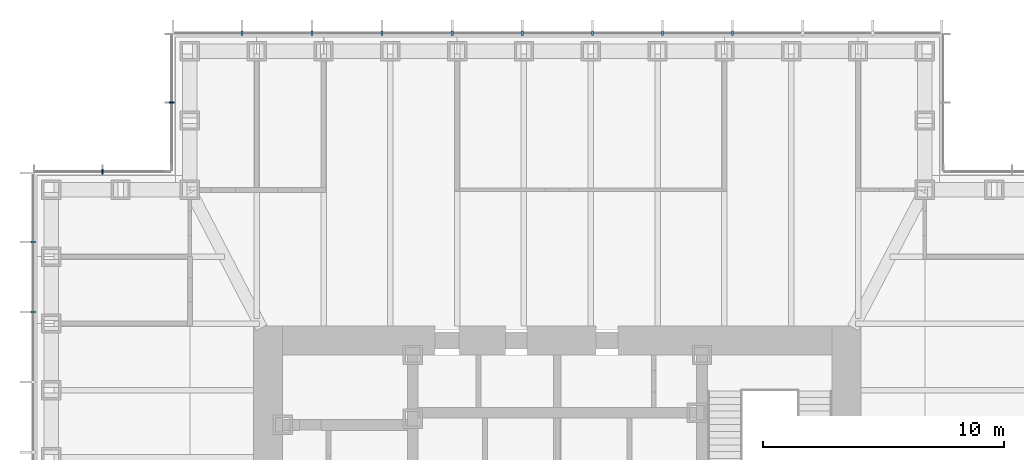
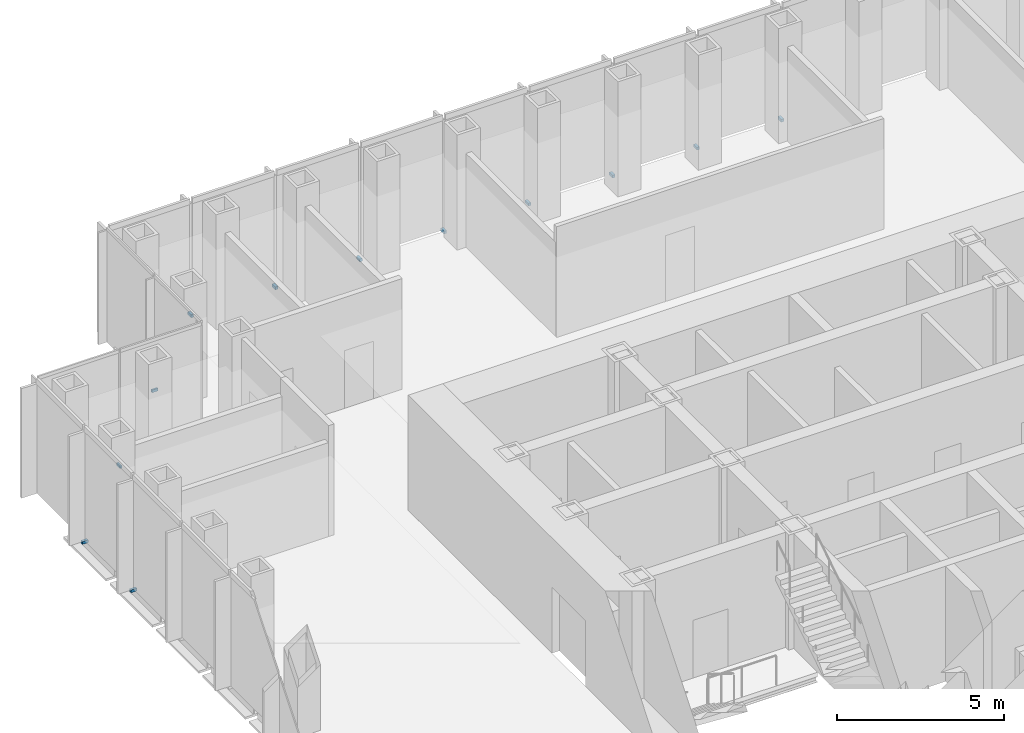
# One storey, part 14 of 16: 12 discrete accessories.
"""IFC4 building model written with IfcOpenShell, lengths in metres."""

from ifc_helpers import new_model, si_unit, direction, frame, origin, origin_2d, place, context, subcontext, project, spatial, rectangle, extrude, element, save


model = new_model("IFC4")

# Units and contexts
model_context = context("Model", 3, precision=1e-05, world=origin(), true_north=direction((0.0, 1.0)))
body_context = subcontext(model_context, "Body", "Model", "MODEL_VIEW")
ifc_project = project(units=[si_unit("LENGTHUNIT", "METRE"), si_unit("AREAUNIT", "SQUARE_METRE"), si_unit("VOLUMEUNIT", "CUBIC_METRE"), si_unit("PLANEANGLEUNIT", "RADIAN"), si_unit("MASSUNIT", "GRAM", prefix="KILO")], contexts=[model_context])

# Site, building, storey
site_placement = place(None, origin())
site = spatial("IfcSite", under=ifc_project, at=site_placement, CompositionType="ELEMENT")
building_placement = place(site_placement, origin())
building = spatial("IfcBuilding", under=site, at=building_placement, Name="Daluyong Arena Tower", CompositionType="ELEMENT")
storey_placement = place(building_placement, frame((0.0, 0.0, 262.89990234375)))
storey = spatial("IfcBuildingStorey", under=building, at=storey_placement, Name="L59", CompositionType="ELEMENT", Elevation=262.89990234375)

# Discrete accessories
for number, where, z_axis, x_axis, name in (
    (1, (63.272705078125, 101.75, -0.099853515625), (0.0, 0.0, 1.0), (-1.0, 0.0, 0.0), "curtain wall L59 N anchor bracket 4"),
    (2, (60.363525390625, 101.75, -0.099853515625), (0.0, 0.0, 1.0), (-1.0, 0.0, 0.0), "curtain wall L59 N anchor bracket 5"),
    (3, (57.45458984375, 101.75, -0.099853515625), (0.0, 0.0, 1.0), (-1.0, 0.0, 0.0), "curtain wall L59 N anchor bracket 6"),
    (4, (54.54541015625, 101.75, -0.099853515625), (0.0, 0.0, 1.0), (-1.0, 0.0, 0.0), "curtain wall L59 N anchor bracket 7"),
    (5, (51.636474609375, 101.75, -0.099853515625), (0.0, 0.0, 1.0), (-1.0, 0.0, 0.0), "curtain wall L59 N anchor bracket 8"),
    (6, (48.727294921875, 101.75, -0.099853515625), (0.0, 0.0, 1.0), (-1.0, 0.0, 0.0), "curtain wall L59 N anchor bracket 9"),
    (7, (45.818115234375, 101.75, -0.099853515625), (0.0, 0.0, 1.0), (-1.0, 0.0, 0.0), "curtain wall L59 N anchor bracket 10"),
    (8, (42.9091796875, 101.75, -0.099853515625), (0.0, 0.0, 1.0), (-1.0, 0.0, 0.0), "curtain wall L59 N anchor bracket 11"),
):
    element("IfcDiscreteAccessory", number, at=place(storey_placement, frame(where, z_axis=z_axis, x_axis=x_axis)), inside=storey, Name=name, PredefinedType="BRACKET", context=body_context, shape_type="SweptSolid", body=[
        extrude(rectangle(XDim=0.090087890625, YDim=0.199951171875, at=origin_2d()), origin(), (0.0, 0.0, 1.0), 0.10009765625),
    ])
for number, where, z_axis, x_axis, name in (
    (9, (40.0, 98.875, -0.099853515625), (0.0, 0.0, 1.0), (0.0, -1.0, 0.0), "curtain wall L59 NW-W anchor bracket 2"),
    (10, (37.125, 96.0, -0.099853515625), (0.0, 0.0, 1.0), (-1.0, 0.0, 0.0), "curtain wall L59 NW-N anchor bracket 2"),
):
    element("IfcDiscreteAccessory", number, at=place(storey_placement, frame(where, z_axis=z_axis, x_axis=x_axis)), inside=storey, Name=name, PredefinedType="BRACKET", context=body_context, shape_type="SweptSolid", body=[
        extrude(rectangle(XDim=0.06005859375, YDim=0.199951171875, at=origin_2d()), origin(), (0.0, 0.0, 1.0), 0.10009765625),
    ])
for number, where, z_axis, x_axis, name in (
    (11, (34.25, 93.0908203125, -0.099853515625), (0.0, 0.0, 1.0), (0.0, -1.0, 0.0), "curtain wall L59 W anchor bracket 2"),
    (12, (34.25, 90.181884765625, -0.099853515625), (0.0, 0.0, 1.0), (0.0, -1.0, 0.0), "curtain wall L59 W anchor bracket 3"),
):
    element("IfcDiscreteAccessory", number, at=place(storey_placement, frame(where, z_axis=z_axis, x_axis=x_axis)), inside=storey, Name=name, PredefinedType="BRACKET", context=body_context, shape_type="SweptSolid", body=[
        extrude(rectangle(XDim=0.090087890625, YDim=0.199951171875, at=origin_2d()), origin(), (0.0, 0.0, 1.0), 0.10009765625),
    ])

save(model, "model.ifc")
